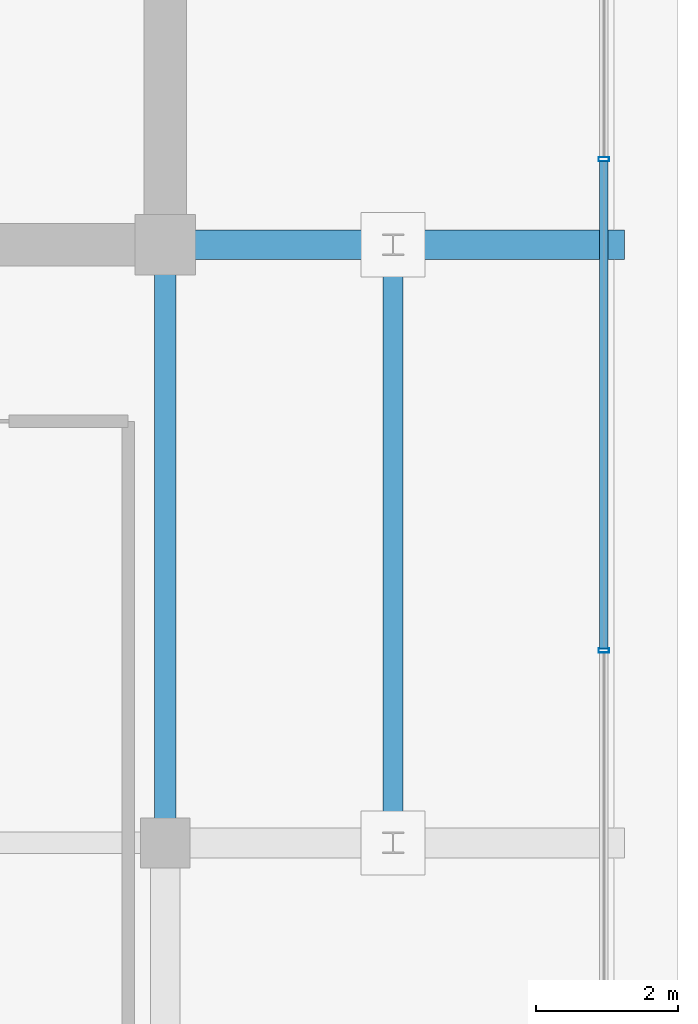
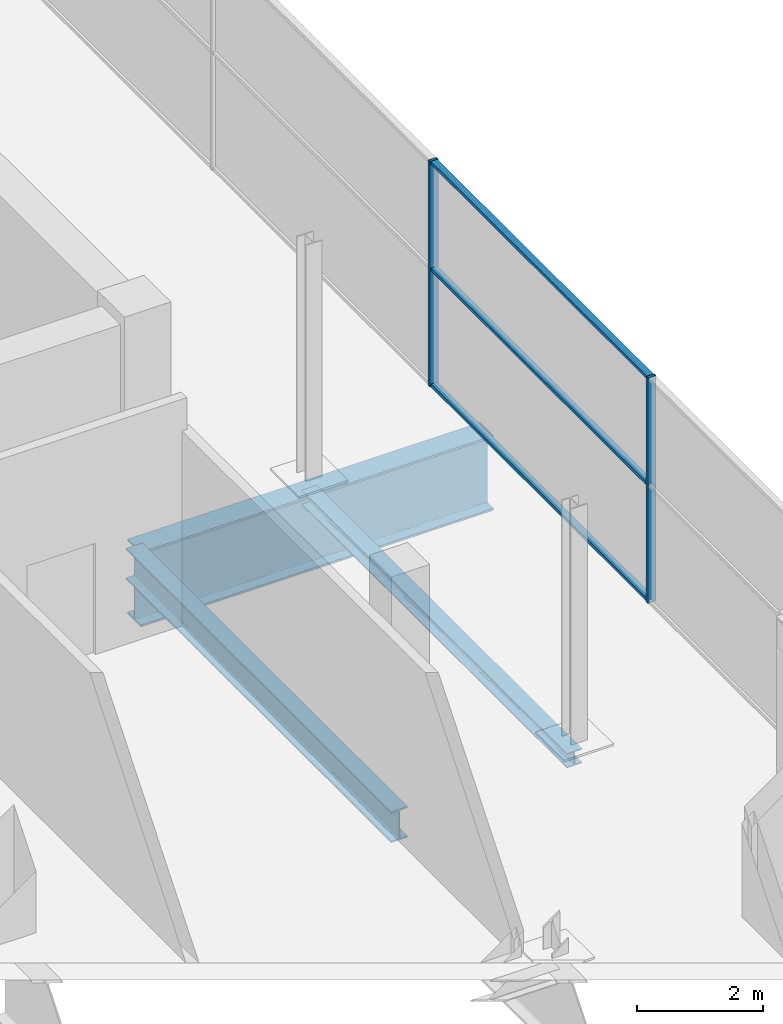
# One storey, part 16 of 28: 5 members, 3 beams, 1 element without a shape of its own.
"""IFC4 building model written with IfcOpenShell, lengths in metres."""

import ifcopenshell
import ifcopenshell.guid

model = None  # the IFC model being written
_history = None  # IfcOwnerHistory: only IFC2X3 demands one
_inside = {}  # id of a spatial element -> (the spatial element, [elements in it])
_under = {}  # id of a project, library or spatial element -> (it, [spatial elements below it])
_declared = {}  # id of a project -> (the project, [libraries it declares])
_typed = {}  # id of a type object -> (the type object, [elements of that type])
_made_of = {}  # id of a material, layer set ... -> (it, [elements and type objects made of it])


def new_model(schema):
    """Start an empty IFC model of exactly this schema.

    Asked for "IFC4X3", IfcOpenShell would pick the latest addendum, in which some entities
    have other attributes; the version numbers below select the first issue.
    IFC2X3 requires an IfcOwnerHistory on every rooted entity: one is made here for all.
    """
    global model, _history
    if schema == "IFC4X3":
        model = ifcopenshell.file(schema_version=(4, 3, 0, 0))
    else:
        model = ifcopenshell.file(schema=schema)
    _inside.clear()
    _under.clear()
    _declared.clear()
    _typed.clear()
    _made_of.clear()
    _history = None
    if model.schema == "IFC2X3":
        org = make("IfcOrganization", Name="unknown")
        user = make(
            "IfcPersonAndOrganization",
            ThePerson=make("IfcPerson", FamilyName="unknown"),
            TheOrganization=org,
        )
        app = make(
            "IfcApplication",
            ApplicationDeveloper=org,
            Version="unknown",
            ApplicationFullName="unknown",
            ApplicationIdentifier="unknown",
        )
        _history = make(
            "IfcOwnerHistory",
            OwningUser=user,
            OwningApplication=app,
            ChangeAction="ADDED",
            CreationDate=0,
        )
    return model


def make(cls, **values):
    """One entity of the class cls with the attributes given. An attribute that is None is left unset."""
    return model.create_entity(
        cls, **{name: value for name, value in values.items() if value is not None}
    )


def rooted(cls, **values):
    """An entity with a GlobalId (a new one), such as an element, a storey or a relation."""
    return make(cls, GlobalId=ifcopenshell.guid.new(), OwnerHistory=_history, **values)


def si_unit(unit_type, name, prefix=None):
    """IfcSIUnit, for example si_unit("LENGTHUNIT", "METRE", prefix="MILLI")."""
    return make("IfcSIUnit", UnitType=unit_type, Prefix=prefix, Name=name)


def assignment(units):
    """IfcUnitAssignment: the units of a project."""
    return None if units is None else make("IfcUnitAssignment", Units=units)


def point(xyz):
    """IfcCartesianPoint."""
    return None if xyz is None else make("IfcCartesianPoint", Coordinates=xyz)


def direction(xyz):
    """IfcDirection."""
    return None if xyz is None else make("IfcDirection", DirectionRatios=xyz)


def frame(location, z_axis=None, x_axis=None):
    """IfcAxis2Placement3D, a coordinate frame: its origin and axes. An axis left out is left unset."""
    return make(
        "IfcAxis2Placement3D",
        Location=point(location),
        Axis=direction(z_axis),
        RefDirection=direction(x_axis),
    )


def frame_2d(location, x_axis=None):
    """IfcAxis2Placement2D, a coordinate frame in the plane: its origin and x axis."""
    return make(
        "IfcAxis2Placement2D", Location=point(location), RefDirection=direction(x_axis)
    )


def origin():
    """The frame at (0, 0, 0) with its axes left unset."""
    return frame((0.0, 0.0, 0.0))


def origin_2d():
    """The frame at (0, 0) in the plane with its x axis left unset."""
    return frame_2d((0.0, 0.0))


def place(relative_to, where):
    """IfcLocalPlacement: puts the frame where relative to a parent placement (None: the world)."""
    return make(
        "IfcLocalPlacement", PlacementRelTo=relative_to, RelativePlacement=where
    )


def context(
    kind, dimensions, precision=None, world=None, true_north=None, identifier=None
):
    """IfcGeometricRepresentationContext, for example the 3D "Model" context."""
    return make(
        "IfcGeometricRepresentationContext",
        ContextIdentifier=identifier,
        ContextType=kind,
        CoordinateSpaceDimension=dimensions,
        Precision=precision,
        WorldCoordinateSystem=world,
        TrueNorth=true_north,
    )


def subcontext(parent, identifier, kind, view, scale=None):
    """IfcGeometricRepresentationSubContext, for example "Body" below "Model"."""
    return make(
        "IfcGeometricRepresentationSubContext",
        ContextIdentifier=identifier,
        ContextType=kind,
        ParentContext=parent,
        TargetScale=scale,
        TargetView=view,
    )


def project(units=None, contexts=None):
    """IfcProject with its units and contexts."""
    return rooted(
        "IfcProject",
        Name="project",
        RepresentationContexts=contexts,
        UnitsInContext=assignment(units),
    )


def spatial(cls, under=None, at=None, **own):
    """A site, building, storey or space (cls), placed at a placement, below another one or the project."""
    s = rooted(cls, ObjectPlacement=at, **own)
    if under is not None:
        _under.setdefault(under.id(), (under, []))[1].append(s)
    return s


def profile(cls, at=None, kind="AREA", **sizes):
    """A parametric profile (cls). Its sizes go by their IFC names, for example OverallWidth=200.0."""
    return make(cls, ProfileType=kind, Position=at, **sizes)


def hollow_rectangle(**sizes):
    """IfcRectangleHollowProfileDef."""
    return profile("IfcRectangleHollowProfileDef", **sizes)


def i_section(**sizes):
    """IfcIShapeProfileDef."""
    return profile("IfcIShapeProfileDef", **sizes)


def extrude(swept, where, along, depth):
    """IfcExtrudedAreaSolid: the profile swept, set in the frame where, extruded along a direction by depth."""
    return make(
        "IfcExtrudedAreaSolid",
        SweptArea=swept,
        Position=where,
        ExtrudedDirection=direction(along),
        Depth=depth,
    )


def shape(context_of_items, identifier, shape_type, items):
    """IfcShapeRepresentation: the items that make up one representation, for example the "Body"."""
    return make(
        "IfcShapeRepresentation",
        ContextOfItems=context_of_items,
        RepresentationIdentifier=identifier,
        RepresentationType=shape_type,
        Items=items,
    )


def source(mapping_origin, context_of_items, identifier, shape_type, items):
    """IfcRepresentationMap: a shape defined once, which mapped items show again and again."""
    return make(
        "IfcRepresentationMap",
        MappingOrigin=mapping_origin,
        MappedRepresentation=shape(context_of_items, identifier, shape_type, items),
    )


def transform(
    local_origin,
    x_axis=None,
    y_axis=None,
    z_axis=None,
    scale=None,
    scale2=None,
    scale3=None,
    uniform=True,
):
    """IfcCartesianTransformationOperator3D, or its non-uniform kind. x_axis, y_axis, z_axis: its Axis1, 2, 3."""
    if uniform:
        return make(
            "IfcCartesianTransformationOperator3D",
            Axis1=direction(x_axis),
            Axis2=direction(y_axis),
            LocalOrigin=point(local_origin),
            Scale=scale,
            Axis3=direction(z_axis),
        )
    return make(
        "IfcCartesianTransformationOperator3DnonUniform",
        Axis1=direction(x_axis),
        Axis2=direction(y_axis),
        LocalOrigin=point(local_origin),
        Scale=scale,
        Axis3=direction(z_axis),
        Scale2=scale2,
        Scale3=scale3,
    )


def mapped(mapping_source, mapping_target):
    """IfcMappedItem: shows the shape of a source again, moved by a transform."""
    return make(
        "IfcMappedItem", MappingSource=mapping_source, MappingTarget=mapping_target
    )


def material(Name=None, Category=None):
    """IfcMaterial."""
    return make("IfcMaterial", Name=Name, Category=Category)


def layer(
    of_material, thickness, ventilated=None, Name=None, Category=None, Priority=None
):
    """IfcMaterialLayer: one layer of a wall or slab, of a material (None: an air gap)."""
    return make(
        "IfcMaterialLayer",
        Material=of_material,
        LayerThickness=thickness,
        IsVentilated=ventilated,
        Name=Name,
        Category=Category,
        Priority=Priority,
    )


def layer_set(layers, Name=None):
    """IfcMaterialLayerSet."""
    return make("IfcMaterialLayerSet", MaterialLayers=layers, LayerSetName=Name)


def material_profile(
    of_material, cross_section, Name=None, Category=None, Priority=None
):
    """IfcMaterialProfile: a cross section and its material."""
    return make(
        "IfcMaterialProfile",
        Name=Name,
        Material=of_material,
        Profile=cross_section,
        Priority=Priority,
        Category=Category,
    )


def profile_set(profiles, Name=None, composite=None):
    """IfcMaterialProfileSet."""
    return make(
        "IfcMaterialProfileSet",
        Name=Name,
        MaterialProfiles=profiles,
        CompositeProfile=composite,
    )


def made_of(thing, what):
    """Note that an element or type object is made of a material, layer set ...; save() writes the relation."""
    if what is not None:
        _made_of.setdefault(what.id(), (what, []))[1].append(thing)
    return thing


def type_object(cls, material=None, **own):
    """A type object (cls), such as IfcWallType, which elements share."""
    return made_of(rooted(cls, **own), material)


def element(
    cls,
    number,
    at=None,
    inside=None,
    cuts=None,
    type_object=None,
    material=None,
    context=None,
    identifier="Body",
    shape_type=None,
    held_by="IfcProductDefinitionShape",
    body=None,
    shapes=None,
    **own,
):
    """One element of the class cls, such as IfcWall. Its Tag is "e" and its number.

    at: its placement. inside: the storey or other place that contains it. cuts: it is an
    opening in that element (IfcRelVoidsElement). A single representation is given by context,
    identifier, shape_type and body (its items); several are given by shapes. held_by: the class
    of the entity that holds the representations. save() writes the other relations.
    """
    e = rooted(cls, Tag="e%d" % number, ObjectPlacement=at, **own)
    if body is not None:
        shapes = [shape(context, identifier, shape_type, body)]
    if shapes is not None:
        e.Representation = make(held_by, Representations=shapes)
    if inside is not None:
        _inside.setdefault(inside.id(), (inside, []))[1].append(e)
    if cuts is not None:
        rooted(
            "IfcRelVoidsElement", RelatingBuildingElement=cuts, RelatedOpeningElement=e
        )
    if type_object is not None:
        _typed.setdefault(type_object.id(), (type_object, []))[1].append(e)
    return made_of(e, material)


def aggregate(whole, parts):
    """IfcRelAggregates: a whole, such as a stair, and the parts it consists of."""
    return rooted("IfcRelAggregates", RelatingObject=whole, RelatedObjects=parts)


def save(model, path):
    """Write the relations noted so far, then the file.

    IfcRelAggregates (storeys below a building ...), IfcRelContainedInSpatialStructure (elements
    in a storey), IfcRelDefinesByType, IfcRelAssociatesMaterial and IfcRelDeclares: one each for
    every whole, place, type object, material and project.
    """
    for whole, parts in _under.values():
        aggregate(whole, parts)
    for where, things in _inside.values():
        rooted(
            "IfcRelContainedInSpatialStructure",
            RelatedElements=things,
            RelatingStructure=where,
        )
    for kind, things in _typed.values():
        rooted("IfcRelDefinesByType", RelatedObjects=things, RelatingType=kind)
    for what, things in _made_of.values():
        rooted("IfcRelAssociatesMaterial", RelatedObjects=things, RelatingMaterial=what)
    for by, libraries in _declared.values():
        rooted("IfcRelDeclares", RelatingContext=by, RelatedDefinitions=libraries)
    model.write(path)


model = new_model("IFC4")

# Units and contexts
model_context = context("Model", 3, precision=1e-05, world=origin(), true_north=direction((0.0, 1.0)))
body_context = subcontext(model_context, "Body", "Model", "MODEL_VIEW")
ifc_project = project(units=[si_unit("LENGTHUNIT", "METRE"), si_unit("AREAUNIT", "SQUARE_METRE"), si_unit("VOLUMEUNIT", "CUBIC_METRE"), si_unit("PLANEANGLEUNIT", "RADIAN"), si_unit("MASSUNIT", "GRAM", prefix="KILO")], contexts=[model_context])

# Site, building, storey
site_placement = place(None, origin())
site = spatial("IfcSite", under=ifc_project, at=site_placement, CompositionType="ELEMENT")
building_placement = place(site_placement, origin())
building = spatial("IfcBuilding", under=site, at=building_placement, Name="Zarnakvel Exchange Tower", CompositionType="ELEMENT")
storey_placement = place(building_placement, frame((0.0, 0.0, 271.60009765625)))
storey = spatial("IfcBuildingStorey", under=building, at=storey_placement, Name="Crown L77", CompositionType="ELEMENT", Elevation=271.60009765625)

# Beams
ifc_material_1 = material(Name="Steel S355", Category="steel")
ifc_material_profile_1 = material_profile(ifc_material_1, i_section(OverallWidth=0.300048828125, OverallDepth=0.60009765625, WebThickness=0.015380859375, FlangeThickness=0.030029296875, FilletRadius=0.027099609375, at=origin_2d()))
ifc_profile_set_1 = profile_set([ifc_material_profile_1], Name="Steel S355")
beam_type_1 = type_object("IfcBeamType", Name="G-04", PredefinedType="BEAM", material=ifc_profile_set_1)
beam_1_placement = place(storey_placement, frame((14.39990234375, -9.60009765625, -0.52001953125), z_axis=(0.0, 1.0, 0.0), x_axis=(-1.0, 0.0, 0.0)))
element("IfcBeam", 1, at=beam_1_placement, inside=storey, type_object=beam_type_1, Name="Crown L77 Tower N-S Frame Beam", PredefinedType="BEAM", context=body_context, shape_type="SweptSolid", body=[
    extrude(i_section(OverallWidth=0.300048828125, OverallDepth=0.60009765625, WebThickness=0.015380859375, FlangeThickness=0.030029296875, FilletRadius=0.027099609375, at=origin_2d()), origin(), (0.0, 0.0, 1.0), 8.400146484375),
])
ifc_material_profile_2 = material_profile(ifc_material_1, i_section(OverallWidth=0.280029296875, OverallDepth=0.280029296875, WebThickness=0.010498046875, FlangeThickness=0.01806640625, FilletRadius=0.02392578125, at=origin_2d()))
ifc_profile_set_2 = profile_set([ifc_material_profile_2], Name="Steel S355")
beam_type_2 = type_object("IfcBeamType", Name="SP-04", PredefinedType="SPANDREL", material=ifc_profile_set_2)
beam_2_placement = place(storey_placement, frame((17.60009765625, -9.60009765625, -0.360107421875), z_axis=(0.0, 1.0, 0.0), x_axis=(-1.0, 0.0, 0.0)))
element("IfcBeam", 2, at=beam_2_placement, inside=storey, type_object=beam_type_2, Name="Crown L77 Tower N-S Frame Beam", PredefinedType="SPANDREL", context=body_context, shape_type="SweptSolid", body=[
    extrude(i_section(OverallWidth=0.280029296875, OverallDepth=0.280029296875, WebThickness=0.010498046875, FlangeThickness=0.01806640625, FilletRadius=0.02392578125, at=origin_2d()), origin(), (0.0, 0.0, 1.0), 8.400146484375),
])
ifc_material_2 = material(Name="Steel S460", Category="steel")
ifc_material_profile_3 = material_profile(ifc_material_2, i_section(OverallWidth=0.419921875, OverallDepth=1.449951171875, WebThickness=0.02392578125, FlangeThickness=0.0400390625, FilletRadius=0.030029296875, at=origin_2d()))
ifc_profile_set_3 = profile_set([ifc_material_profile_3], Name="Steel S460")
beam_type_3 = type_object("IfcBeamType", Name="TG-01", PredefinedType="BEAM", material=ifc_profile_set_3)
beam_3_placement = place(storey_placement, frame((14.39990234375, -1.199951171875, -0.945068359375), z_axis=(1.0, 0.0, 0.0), x_axis=(0.0, 1.0, 0.0)))
element("IfcBeam", 3, at=beam_3_placement, inside=storey, type_object=beam_type_3, Name="Crown L77 Setback E-W Transfer Girder CE-D", PredefinedType="BEAM", context=body_context, shape_type="SweptSolid", body=[
    extrude(i_section(OverallWidth=0.419921875, OverallDepth=1.449951171875, WebThickness=0.02392578125, FlangeThickness=0.0400390625, FilletRadius=0.030029296875, at=origin_2d()), origin(), (0.0, 0.0, 1.0), 6.4501953125),
])

# Curtain wall, members
ifc_material_3 = material(Name="Architectural Bronze Anodised Aluminium", Category="aluminium")
ifc_layer = layer(ifc_material_3, 0.14990234375)
ifc_layer_set = layer_set([ifc_layer], Name="Architectural Bronze Anodised Aluminium")
curtain_wall_type = type_object("IfcCurtainWallType", Name="CW-07", PredefinedType="NOTDEFINED", material=ifc_layer_set)
curtain_wall_placement = place(storey_placement, origin())
curtain_wall = element("IfcCurtainWall", 4, at=curtain_wall_placement, inside=storey, type_object=curtain_wall_type, Name="Crown L77 Curtain Wall CW-Crown L77-E (CW-07)", PredefinedType="NOTDEFINED")
ifc_material_profile_4 = material_profile(ifc_material_3, hollow_rectangle(XDim=0.14990234375, YDim=0.06005859375, WallThickness=0.00390625, at=origin_2d()))
ifc_profile_set_4 = profile_set([ifc_material_profile_4], Name="Architectural Bronze Anodised Aluminium")
member_type_1 = type_object("IfcMemberType", Name="CWM-07", PredefinedType="MULLION", material=ifc_profile_set_4)
shared_shape_1 = source(origin(), body_context, "Body", "SweptSolid", [
    extrude(hollow_rectangle(XDim=0.14990234375, YDim=0.06005859375, WallThickness=0.00390625, at=origin_2d()), origin(), (0.0, 0.0, 1.0), 4.35986328125),
])
member_1_placement = place(storey_placement, frame((20.56005859375, -6.89990234375, 0.0), z_axis=(0.0, 0.0, 1.0), x_axis=(-1.0, 0.0, 0.0)))
member_1 = element("IfcMember", 5, at=member_1_placement, type_object=member_type_1, Name="CW-07 mullion 2", PredefinedType="MULLION", context=body_context, shape_type="MappedRepresentation", body=[
    mapped(shared_shape_1, transform((0.0, 0.0, 0.0), x_axis=(1.0, 0.0, 0.0), y_axis=(0.0, 1.0, 0.0), z_axis=(0.0, 0.0, 1.0), scale=1.0)),
])
member_2_placement = place(storey_placement, frame((20.56005859375, 0.0, 0.0), z_axis=(0.0, 0.0, 1.0), x_axis=(-1.0, 0.0, 0.0)))
member_2 = element("IfcMember", 6, at=member_2_placement, type_object=member_type_1, Name="CW-07 mullion 3", PredefinedType="MULLION", context=body_context, shape_type="MappedRepresentation", body=[
    mapped(shared_shape_1, transform((0.0, 0.0, 0.0), x_axis=(1.0, 0.0, 0.0), y_axis=(0.0, 1.0, 0.0), z_axis=(0.0, 0.0, 1.0), scale=1.0)),
])
ifc_material_profile_5 = material_profile(ifc_material_3, hollow_rectangle(XDim=0.1201171875, YDim=0.06005859375, WallThickness=0.00390625, at=origin_2d()))
ifc_profile_set_5 = profile_set([ifc_material_profile_5], Name="Architectural Bronze Anodised Aluminium")
member_type_2 = type_object("IfcMemberType", Name="CWT-07", PredefinedType="USERDEFINED", material=ifc_profile_set_5)
shared_shape_2 = source(origin(), body_context, "Body", "SweptSolid", [
    extrude(hollow_rectangle(XDim=0.1201171875, YDim=0.06005859375, WallThickness=0.00390625, at=origin_2d()), origin(), (0.0, 0.0, 1.0), 6.840087890625),
])
member_3_placement = place(storey_placement, frame((20.56005859375, -6.8701171875, 0.02978515625), z_axis=(0.0, 1.0, 0.0), x_axis=(-1.0, 0.0, 0.0)))
member_3 = element("IfcMember", 7, at=member_3_placement, type_object=member_type_2, Name="CW-07 transom 2.1", ObjectType="TRANSOM", PredefinedType="USERDEFINED", context=body_context, shape_type="MappedRepresentation", body=[
    mapped(shared_shape_2, transform((0.0, 0.0, 0.0), x_axis=(1.0, 0.0, 0.0), y_axis=(0.0, 1.0, 0.0), z_axis=(0.0, 0.0, 1.0), scale=1.0)),
])
member_4_placement = place(storey_placement, frame((20.56005859375, -6.8701171875, 2.26708984375), z_axis=(0.0, 1.0, 0.0), x_axis=(-1.0, 0.0, 0.0)))
member_4 = element("IfcMember", 8, at=member_4_placement, type_object=member_type_2, Name="CW-07 transom 2.2", ObjectType="TRANSOM", PredefinedType="USERDEFINED", context=body_context, shape_type="MappedRepresentation", body=[
    mapped(shared_shape_2, transform((0.0, 0.0, 0.0), x_axis=(1.0, 0.0, 0.0), y_axis=(0.0, 1.0, 0.0), z_axis=(0.0, 0.0, 1.0), scale=1.0)),
])
member_5_placement = place(storey_placement, frame((20.56005859375, -6.8701171875, 4.329833984375), z_axis=(0.0, 1.0, 0.0), x_axis=(-1.0, 0.0, 0.0)))
member_5 = element("IfcMember", 9, at=member_5_placement, type_object=member_type_2, Name="CW-07 transom 2.3", ObjectType="TRANSOM", PredefinedType="USERDEFINED", context=body_context, shape_type="MappedRepresentation", body=[
    mapped(shared_shape_2, transform((0.0, 0.0, 0.0), x_axis=(1.0, 0.0, 0.0), y_axis=(0.0, 1.0, 0.0), z_axis=(0.0, 0.0, 1.0), scale=1.0)),
])
aggregate(curtain_wall, [member_1, member_2, member_3, member_4, member_5])

save(model, "model.ifc")
